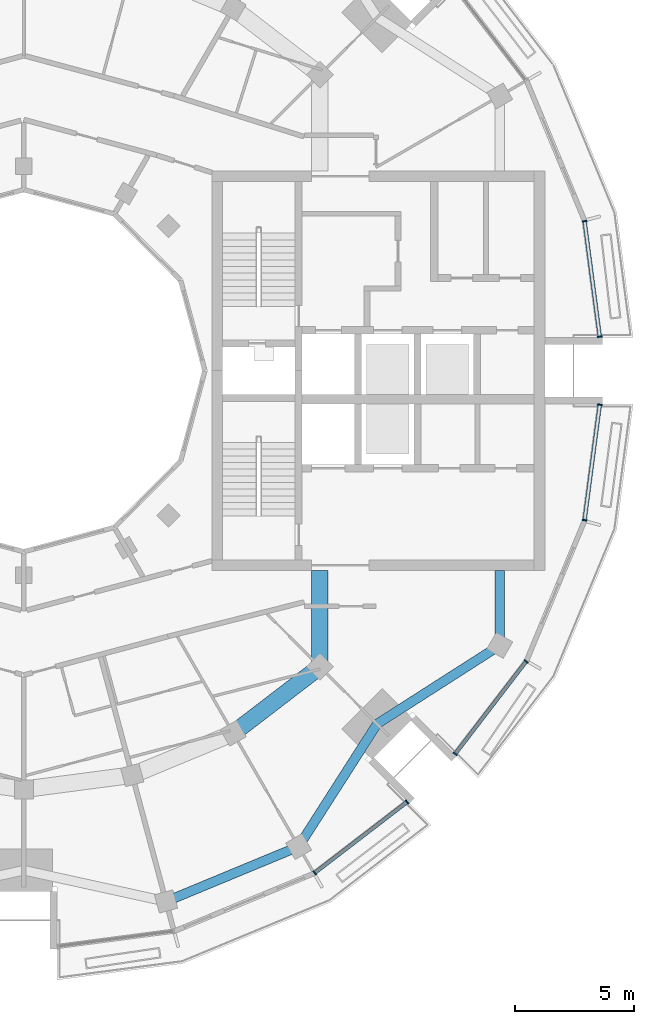
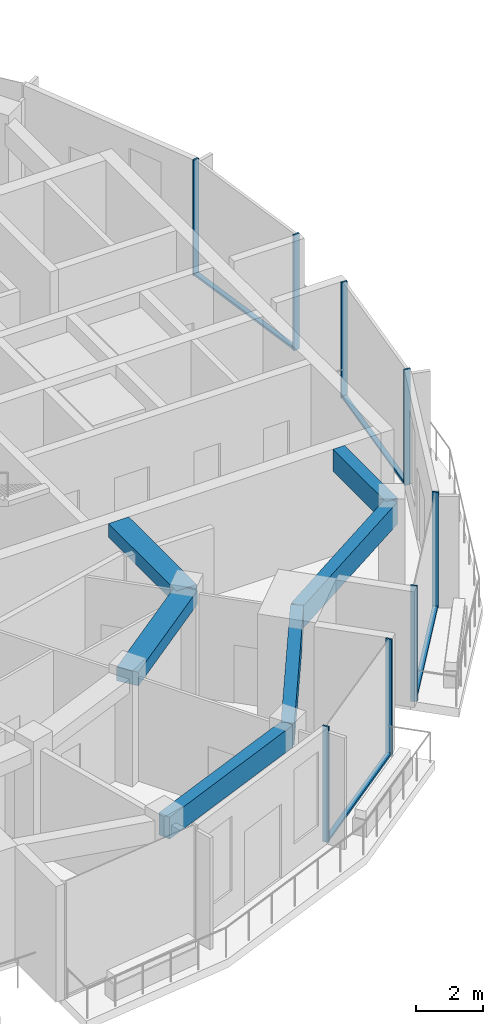
# One storey, part 4 of 17: 12 members, 6 beams, 4 elements without a shape of their own.
"""IFC4 building model written with IfcOpenShell, lengths in metres."""

from ifc_helpers import new_model, si_unit, direction, frame, origin, origin_2d, place, context, subcontext, project, spatial, rectangle, extrude, material, layer, layer_set, material_profile, profile_set, type_object, element, aggregate, save


model = new_model("IFC4")

# Units and contexts
model_context = context("Model", 3, precision=1e-05, world=origin(), true_north=direction((0.0, 1.0)))
body_context = subcontext(model_context, "Body", "Model", "MODEL_VIEW")
ifc_project = project(units=[si_unit("LENGTHUNIT", "METRE"), si_unit("AREAUNIT", "SQUARE_METRE"), si_unit("VOLUMEUNIT", "CUBIC_METRE"), si_unit("PLANEANGLEUNIT", "RADIAN"), si_unit("MASSUNIT", "GRAM", prefix="KILO")], contexts=[model_context])

# Site, building, storey
site_placement = place(None, origin())
site = spatial("IfcSite", under=ifc_project, at=site_placement, CompositionType="ELEMENT")
building_placement = place(site_placement, origin())
building = spatial("IfcBuilding", under=site, at=building_placement, Name="Torre Brocal", CompositionType="ELEMENT")
storey_placement = place(building_placement, frame((0.0, 0.0, 275.699951171875)))
storey = spatial("IfcBuildingStorey", under=building, at=storey_placement, Name="L63", CompositionType="ELEMENT", Elevation=275.699951171875)

# Curtain wall, members
ifc_material_1 = material(Name="Aluminium and glass", Category="aluminium")
ifc_layer_1 = layer(ifc_material_1, 0.199951171875)
ifc_layer_set_1 = layer_set([ifc_layer_1], Name="Aluminium and glass")
curtain_wall_type_1 = type_object("IfcCurtainWallType", Name="CW-1 CURTAIN WALL 4200 HIGH", PredefinedType="NOTDEFINED", material=ifc_layer_set_1)
curtain_wall_1_placement = place(storey_placement, origin())
curtain_wall_1 = element("IfcCurtainWall", 1, at=curtain_wall_1_placement, inside=storey, type_object=curtain_wall_type_1, Name="CW-1 RUN 21", PredefinedType="NOTDEFINED")
ifc_material_2 = material(Name="Aluminium, dark anodised", Category="aluminium")
ifc_material_profile_1 = material_profile(ifc_material_2, rectangle(XDim=0.199951171875, YDim=0.06005859375, at=origin_2d()), Name="CW-1 MULLION 60X200")
ifc_profile_set_1 = profile_set([ifc_material_profile_1], Name="Aluminium, dark anodised")
member_type_1 = type_object("IfcMemberType", Name="CW-1 MULLION 60X200", PredefinedType="MULLION", material=ifc_profile_set_1)
member_1_placement = place(storey_placement, frame((92.223388671875, 53.887939453125, 0.0), z_axis=(0.0, 0.0, 1.0), x_axis=(-0.608761428939, 0.793353340344, 0.0)))
member_1 = element("IfcMember", 2, at=member_1_placement, type_object=member_type_1, Name="CW1-5 mullion 1", PredefinedType="MULLION", context=body_context, shape_type="SweptSolid", body=[
    extrude(rectangle(XDim=0.199951171875, YDim=0.06005859375, at=origin_2d()), origin(), (0.0, 0.0, 1.0), 4.199951171875),
])
member_2_placement = place(storey_placement, frame((96.108642578125, 56.869384765625, 0.0), z_axis=(0.0, 0.0, 1.0), x_axis=(-0.608761428939, 0.793353340344, 0.0)))
member_2 = element("IfcMember", 3, at=member_2_placement, type_object=member_type_1, Name="CW1-5 mullion 2", PredefinedType="MULLION", context=body_context, shape_type="SweptSolid", body=[
    extrude(rectangle(XDim=0.199951171875, YDim=0.06005859375, at=origin_2d()), origin(), (0.0, 0.0, 1.0), 4.199951171875),
])

curtain_wall_2_placement = place(storey_placement, origin())
curtain_wall_2 = element("IfcCurtainWall", 4, at=curtain_wall_2_placement, inside=storey, type_object=curtain_wall_type_1, Name="CW-1 RUN 22", PredefinedType="NOTDEFINED")
member_3_placement = place(storey_placement, frame((98.130615234375, 58.891357421875, 0.0), z_axis=(0.0, 0.0, 1.0), x_axis=(-0.793353340344, 0.608761428939, 0.0)))
member_3 = element("IfcMember", 5, at=member_3_placement, type_object=member_type_1, Name="CW1-5 mullion 1", PredefinedType="MULLION", context=body_context, shape_type="SweptSolid", body=[
    extrude(rectangle(XDim=0.199951171875, YDim=0.06005859375, at=origin_2d()), origin(), (0.0, 0.0, 1.0), 4.199951171875),
])
member_4_placement = place(storey_placement, frame((101.112060546875, 62.776611328125, 0.0), z_axis=(0.0, 0.0, 1.0), x_axis=(-0.793353340344, 0.608761428939, 0.0)))
member_4 = element("IfcMember", 6, at=member_4_placement, type_object=member_type_1, Name="CW1-5 mullion 2", PredefinedType="MULLION", context=body_context, shape_type="SweptSolid", body=[
    extrude(rectangle(XDim=0.199951171875, YDim=0.06005859375, at=origin_2d()), origin(), (0.0, 0.0, 1.0), 4.199951171875),
])

# Member
ifc_material_3 = material(Name="Aluminium, dark anodised", Category="aluminium")
ifc_material_profile_2 = material_profile(ifc_material_3, rectangle(XDim=0.159912109375, YDim=0.080078125, at=origin_2d()), Name="CW-1 TRANSOM 160X80")
ifc_profile_set_2 = profile_set([ifc_material_profile_2], Name="Aluminium, dark anodised")
member_type_2 = type_object("IfcMemberType", Name="CW-1 TRANSOM 160X80", PredefinedType="USERDEFINED", material=ifc_profile_set_2)
member_5_placement = place(storey_placement, frame((92.2470703125, 53.90625, 0.0400390625), z_axis=(0.793362608569, 0.608749350163, 0.0), x_axis=(-0.608749350163, 0.793362608569, 0.0)))
member_5 = element("IfcMember", 7, at=member_5_placement, type_object=member_type_2, Name="CW1-5 transom 1.1", ObjectType="TRANSOM", PredefinedType="USERDEFINED", context=body_context, shape_type="SweptSolid", body=[
    extrude(rectangle(XDim=0.159912109375, YDim=0.080078125, at=origin_2d()), origin(), (0.0, 0.0, 1.0), 4.83740234375),
])

aggregate(curtain_wall_1, [member_1, member_2, member_5])

member_6_placement = place(storey_placement, frame((98.14892578125, 58.9150390625, 0.0400390625), z_axis=(0.608749350163, 0.793362608569, 0.0), x_axis=(-0.793362608569, 0.608749350163, 0.0)))
member_6 = element("IfcMember", 8, at=member_6_placement, type_object=member_type_2, Name="CW1-5 transom 1.1", ObjectType="TRANSOM", PredefinedType="USERDEFINED", context=body_context, shape_type="SweptSolid", body=[
    extrude(rectangle(XDim=0.159912109375, YDim=0.080078125, at=origin_2d()), origin(), (0.0, 0.0, 1.0), 4.83740234375),
])

aggregate(curtain_wall_2, [member_3, member_4, member_6])

# Curtain wall, members
ifc_material_4 = material(Name="Aluminium and glass", Category="aluminium")
ifc_layer_2 = layer(ifc_material_4, 0.199951171875)
ifc_layer_set_2 = layer_set([ifc_layer_2], Name="Aluminium and glass")
curtain_wall_type_2 = type_object("IfcCurtainWallType", Name="CW-1B CURTAIN WALL 4200 HIGH", PredefinedType="NOTDEFINED", material=ifc_layer_set_2)
curtain_wall_3_placement = place(storey_placement, origin())
curtain_wall_3 = element("IfcCurtainWall", 9, at=curtain_wall_3_placement, inside=storey, type_object=curtain_wall_type_2, Name="CW-1B RUN 1", PredefinedType="NOTDEFINED")
ifc_material_5 = material(Name="Aluminium, dark anodised", Category="aluminium")
ifc_material_profile_3 = material_profile(ifc_material_5, rectangle(XDim=0.199951171875, YDim=0.06005859375, at=origin_2d()), Name="CW-1B MULLION 60X200")
ifc_profile_set_3 = profile_set([ifc_material_profile_3], Name="Aluminium, dark anodised")
member_type_3 = type_object("IfcMemberType", Name="CW-1B MULLION 60X200", PredefinedType="MULLION", material=ifc_profile_set_3)
member_7_placement = place(storey_placement, frame((104.2109375, 76.4296875, 0.0), z_axis=(0.0, 0.0, 1.0), x_axis=(-0.991444861387, -0.130526192116, 0.0)))
member_7 = element("IfcMember", 10, at=member_7_placement, type_object=member_type_3, Name="CW1B-5 mullion 1", PredefinedType="MULLION", context=body_context, shape_type="SweptSolid", body=[
    extrude(rectangle(XDim=0.199951171875, YDim=0.06005859375, at=origin_2d()), origin(), (0.0, 0.0, 1.0), 4.199951171875),
])
member_8_placement = place(storey_placement, frame((103.57177734375, 81.28515625, 0.0), z_axis=(0.0, 0.0, 1.0), x_axis=(-0.991444861387, -0.130526192116, 0.0)))
member_8 = element("IfcMember", 11, at=member_8_placement, type_object=member_type_3, Name="CW1B-5 mullion 2", PredefinedType="MULLION", context=body_context, shape_type="SweptSolid", body=[
    extrude(rectangle(XDim=0.199951171875, YDim=0.06005859375, at=origin_2d()), origin(), (0.0, 0.0, 1.0), 4.199951171875),
])

curtain_wall_4_placement = place(storey_placement, origin())
curtain_wall_4 = element("IfcCurtainWall", 12, at=curtain_wall_4_placement, inside=storey, type_object=curtain_wall_type_2, Name="CW-1B RUN 24", PredefinedType="NOTDEFINED")
member_9_placement = place(storey_placement, frame((103.57177734375, 68.71484375, 0.0), z_axis=(0.0, 0.0, 1.0), x_axis=(-0.991444861387, 0.130526192116, 0.0)))
member_9 = element("IfcMember", 13, at=member_9_placement, type_object=member_type_3, Name="CW1B-5 mullion 1", PredefinedType="MULLION", context=body_context, shape_type="SweptSolid", body=[
    extrude(rectangle(XDim=0.199951171875, YDim=0.06005859375, at=origin_2d()), origin(), (0.0, 0.0, 1.0), 4.199951171875),
])
member_10_placement = place(storey_placement, frame((104.2109375, 73.5703125, 0.0), z_axis=(0.0, 0.0, 1.0), x_axis=(-0.991444861387, 0.130526192116, 0.0)))
member_10 = element("IfcMember", 14, at=member_10_placement, type_object=member_type_3, Name="CW1B-5 mullion 2", PredefinedType="MULLION", context=body_context, shape_type="SweptSolid", body=[
    extrude(rectangle(XDim=0.199951171875, YDim=0.06005859375, at=origin_2d()), origin(), (0.0, 0.0, 1.0), 4.199951171875),
])

# Member
ifc_material_6 = material(Name="Aluminium, dark anodised", Category="aluminium")
ifc_material_profile_4 = material_profile(ifc_material_6, rectangle(XDim=0.159912109375, YDim=0.080078125, at=origin_2d()), Name="CW-1B TRANSOM 160X80")
ifc_profile_set_4 = profile_set([ifc_material_profile_4], Name="Aluminium, dark anodised")
member_type_4 = type_object("IfcMemberType", Name="CW-1B TRANSOM 160X80", PredefinedType="USERDEFINED", material=ifc_profile_set_4)
member_11_placement = place(storey_placement, frame((104.20703125, 76.45947265625, 0.0400390625), z_axis=(-0.130517179786, 0.991446047842, 0.0), x_axis=(-0.991446047842, -0.130517179786, 0.0)))
member_11 = element("IfcMember", 15, at=member_11_placement, type_object=member_type_4, Name="CW1B-5 transom 1.1", ObjectType="TRANSOM", PredefinedType="USERDEFINED", context=body_context, shape_type="SweptSolid", body=[
    extrude(rectangle(XDim=0.159912109375, YDim=0.080078125, at=origin_2d()), origin(), (0.0, 0.0, 1.0), 4.837158203125),
])

aggregate(curtain_wall_3, [member_7, member_8, member_11])

member_12_placement = place(storey_placement, frame((103.57568359375, 68.74462890625, 0.0400390625), z_axis=(0.130517179786, 0.991446047842, 0.0), x_axis=(-0.991446047842, 0.130517179786, 0.0)))
member_12 = element("IfcMember", 16, at=member_12_placement, type_object=member_type_4, Name="CW1B-5 transom 1.1", ObjectType="TRANSOM", PredefinedType="USERDEFINED", context=body_context, shape_type="SweptSolid", body=[
    extrude(rectangle(XDim=0.159912109375, YDim=0.080078125, at=origin_2d()), origin(), (0.0, 0.0, 1.0), 4.837158203125),
])

aggregate(curtain_wall_4, [member_9, member_10, member_12])

# Beams
ifc_material_7 = material(Name="Concrete C50", Category="concrete")
ifc_material_profile_5 = material_profile(ifc_material_7, rectangle(XDim=0.699951171875, YDim=0.5, at=origin_2d()), Name="RC 700X500")
ifc_profile_set_5 = profile_set([ifc_material_profile_5], Name="Concrete C50")
beam_type_1 = type_object("IfcBeamType", Name="RC BEAM 700X500 C50 TOP 3880", PredefinedType="BEAM", material=ifc_profile_set_5)
beam_1_placement = place(storey_placement, frame((88.800048828125, 59.758056640625, 3.630126953125), z_axis=(0.793358265959, 0.6087550097, 0.0), x_axis=(-0.6087550097, 0.793358265959, 0.0)))
element("IfcBeam", 17, at=beam_1_placement, inside=storey, type_object=beam_type_1, Name="Beam BT-37", PredefinedType="BEAM", context=body_context, shape_type="SweptSolid", body=[
    extrude(rectangle(XDim=0.699951171875, YDim=0.5, at=origin_2d()), origin(), (0.0, 0.0, 1.0), 4.594482421875),
])
beam_2_placement = place(storey_placement, frame((92.445068359375, 62.554931640625, 3.630126953125), z_axis=(0.0, 1.0, 0.0), x_axis=(-1.0, 0.0, 0.0)))
element("IfcBeam", 18, at=beam_2_placement, inside=storey, type_object=beam_type_1, Name="Beam BT-37", PredefinedType="BEAM", context=body_context, shape_type="SweptSolid", body=[
    extrude(rectangle(XDim=0.699951171875, YDim=0.5, at=origin_2d()), origin(), (0.0, 0.0, 1.0), 4.045166015625),
])
ifc_material_8 = material(Name="Concrete C50", Category="concrete")
ifc_material_profile_6 = material_profile(ifc_material_8, rectangle(XDim=0.39990234375, YDim=0.800048828125, at=origin_2d()), Name="RC 400X800")
ifc_profile_set_6 = profile_set([ifc_material_profile_6], Name="Concrete C50")
beam_type_2 = type_object("IfcBeamType", Name="RC SPANDREL BEAM 400X800 C50 TOP 3880", PredefinedType="SPANDREL", material=ifc_profile_set_6)
beam_3_placement = place(storey_placement, frame((85.978759765625, 52.68701171875, 3.47998046875), z_axis=(0.923870278372, 0.38270577307, 0.0), x_axis=(-0.38270577307, 0.923870278372, 0.0)))
element("IfcBeam", 19, at=beam_3_placement, inside=storey, type_object=beam_type_2, Name="Beam BT-47", PredefinedType="SPANDREL", context=body_context, shape_type="SweptSolid", body=[
    extrude(rectangle(XDim=0.39990234375, YDim=0.800048828125, at=origin_2d()), origin(), (0.0, 0.0, 1.0), 6.0302734375),
])
for number, where, z_axis, x_axis, name in (
    (20, (91.550048828125, 54.994873046875, 3.47998046875), (0.538964280647, 0.842328620069, 0.0), (-0.842328620069, 0.538964280647, 0.0), "Beam BT-47"),
    (21, (94.84912109375, 60.15087890625, 3.47998046875), (0.842328620069, 0.538964280647, 0.0), (-0.538964280647, 0.842328620069, 0.0), "Beam BT-47"),
):
    element("IfcBeam", number, at=place(storey_placement, frame(where, z_axis=z_axis, x_axis=x_axis)), inside=storey, type_object=beam_type_2, Name=name, PredefinedType="SPANDREL", context=body_context, shape_type="SweptSolid", body=[
        extrude(rectangle(XDim=0.39990234375, YDim=0.800048828125, at=origin_2d()), origin(), (0.0, 0.0, 1.0), 6.12109375),
    ])
beam_4_placement = place(storey_placement, frame((100.005126953125, 63.449951171875, 3.47998046875), z_axis=(0.0, 1.0, 0.0), x_axis=(-1.0, 0.0, 0.0)))
element("IfcBeam", 22, at=beam_4_placement, inside=storey, type_object=beam_type_2, Name="Beam BT-47", PredefinedType="SPANDREL", context=body_context, shape_type="SweptSolid", body=[
    extrude(rectangle(XDim=0.39990234375, YDim=0.800048828125, at=origin_2d()), origin(), (0.0, 0.0, 1.0), 3.150146484375),
])

save(model, "model.ifc")
